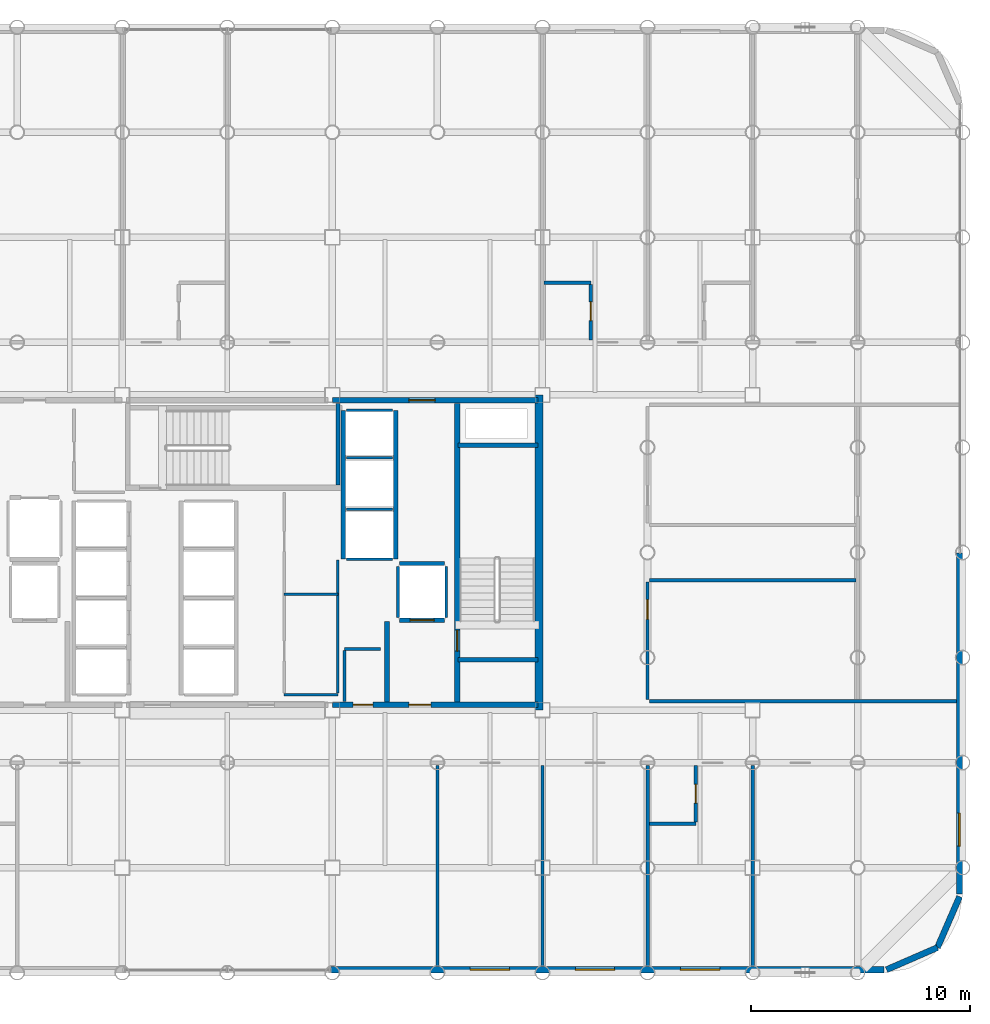
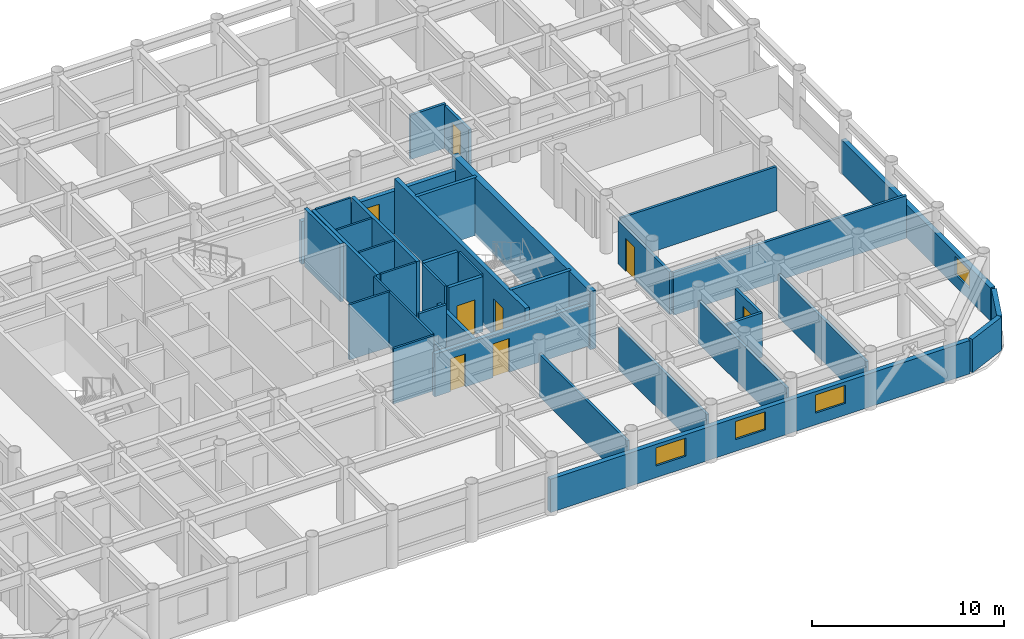
# One storey, part 18 of 20: 38 walls, 8 doors, 4 windows, 12 openings.
"""IFC4 building model written with IfcOpenShell, lengths in metres."""

import ifcopenshell
import ifcopenshell.guid

model = None  # the IFC model being written
_history = None  # IfcOwnerHistory: only IFC2X3 demands one
_inside = {}  # id of a spatial element -> (the spatial element, [elements in it])
_under = {}  # id of a project, library or spatial element -> (it, [spatial elements below it])
_declared = {}  # id of a project -> (the project, [libraries it declares])
_typed = {}  # id of a type object -> (the type object, [elements of that type])
_made_of = {}  # id of a material, layer set ... -> (it, [elements and type objects made of it])


def new_model(schema):
    """Start an empty IFC model of exactly this schema.

    Asked for "IFC4X3", IfcOpenShell would pick the latest addendum, in which some entities
    have other attributes; the version numbers below select the first issue.
    IFC2X3 requires an IfcOwnerHistory on every rooted entity: one is made here for all.
    """
    global model, _history
    if schema == "IFC4X3":
        model = ifcopenshell.file(schema_version=(4, 3, 0, 0))
    else:
        model = ifcopenshell.file(schema=schema)
    _inside.clear()
    _under.clear()
    _declared.clear()
    _typed.clear()
    _made_of.clear()
    _history = None
    if model.schema == "IFC2X3":
        org = make("IfcOrganization", Name="unknown")
        user = make(
            "IfcPersonAndOrganization",
            ThePerson=make("IfcPerson", FamilyName="unknown"),
            TheOrganization=org,
        )
        app = make(
            "IfcApplication",
            ApplicationDeveloper=org,
            Version="unknown",
            ApplicationFullName="unknown",
            ApplicationIdentifier="unknown",
        )
        _history = make(
            "IfcOwnerHistory",
            OwningUser=user,
            OwningApplication=app,
            ChangeAction="ADDED",
            CreationDate=0,
        )
    return model


def make(cls, **values):
    """One entity of the class cls with the attributes given. An attribute that is None is left unset."""
    return model.create_entity(
        cls, **{name: value for name, value in values.items() if value is not None}
    )


def rooted(cls, **values):
    """An entity with a GlobalId (a new one), such as an element, a storey or a relation."""
    return make(cls, GlobalId=ifcopenshell.guid.new(), OwnerHistory=_history, **values)


def si_unit(unit_type, name, prefix=None):
    """IfcSIUnit, for example si_unit("LENGTHUNIT", "METRE", prefix="MILLI")."""
    return make("IfcSIUnit", UnitType=unit_type, Prefix=prefix, Name=name)


def assignment(units):
    """IfcUnitAssignment: the units of a project."""
    return None if units is None else make("IfcUnitAssignment", Units=units)


def point(xyz):
    """IfcCartesianPoint."""
    return None if xyz is None else make("IfcCartesianPoint", Coordinates=xyz)


def direction(xyz):
    """IfcDirection."""
    return None if xyz is None else make("IfcDirection", DirectionRatios=xyz)


def frame(location, z_axis=None, x_axis=None):
    """IfcAxis2Placement3D, a coordinate frame: its origin and axes. An axis left out is left unset."""
    return make(
        "IfcAxis2Placement3D",
        Location=point(location),
        Axis=direction(z_axis),
        RefDirection=direction(x_axis),
    )


def frame_2d(location, x_axis=None):
    """IfcAxis2Placement2D, a coordinate frame in the plane: its origin and x axis."""
    return make(
        "IfcAxis2Placement2D", Location=point(location), RefDirection=direction(x_axis)
    )


def origin():
    """The frame at (0, 0, 0) with its axes left unset."""
    return frame((0.0, 0.0, 0.0))


def place(relative_to, where):
    """IfcLocalPlacement: puts the frame where relative to a parent placement (None: the world)."""
    return make(
        "IfcLocalPlacement", PlacementRelTo=relative_to, RelativePlacement=where
    )


def context(
    kind, dimensions, precision=None, world=None, true_north=None, identifier=None
):
    """IfcGeometricRepresentationContext, for example the 3D "Model" context."""
    return make(
        "IfcGeometricRepresentationContext",
        ContextIdentifier=identifier,
        ContextType=kind,
        CoordinateSpaceDimension=dimensions,
        Precision=precision,
        WorldCoordinateSystem=world,
        TrueNorth=true_north,
    )


def subcontext(parent, identifier, kind, view, scale=None):
    """IfcGeometricRepresentationSubContext, for example "Body" below "Model"."""
    return make(
        "IfcGeometricRepresentationSubContext",
        ContextIdentifier=identifier,
        ContextType=kind,
        ParentContext=parent,
        TargetScale=scale,
        TargetView=view,
    )


def project(units=None, contexts=None):
    """IfcProject with its units and contexts."""
    return rooted(
        "IfcProject",
        Name="project",
        RepresentationContexts=contexts,
        UnitsInContext=assignment(units),
    )


def spatial(cls, under=None, at=None, **own):
    """A site, building, storey or space (cls), placed at a placement, below another one or the project."""
    s = rooted(cls, ObjectPlacement=at, **own)
    if under is not None:
        _under.setdefault(under.id(), (under, []))[1].append(s)
    return s


def profile(cls, at=None, kind="AREA", **sizes):
    """A parametric profile (cls). Its sizes go by their IFC names, for example OverallWidth=200.0."""
    return make(cls, ProfileType=kind, Position=at, **sizes)


def rectangle(**sizes):
    """IfcRectangleProfileDef."""
    return profile("IfcRectangleProfileDef", **sizes)


def extrude(swept, where, along, depth):
    """IfcExtrudedAreaSolid: the profile swept, set in the frame where, extruded along a direction by depth."""
    return make(
        "IfcExtrudedAreaSolid",
        SweptArea=swept,
        Position=where,
        ExtrudedDirection=direction(along),
        Depth=depth,
    )


def shape(context_of_items, identifier, shape_type, items):
    """IfcShapeRepresentation: the items that make up one representation, for example the "Body"."""
    return make(
        "IfcShapeRepresentation",
        ContextOfItems=context_of_items,
        RepresentationIdentifier=identifier,
        RepresentationType=shape_type,
        Items=items,
    )


def material(Name=None, Category=None):
    """IfcMaterial."""
    return make("IfcMaterial", Name=Name, Category=Category)


def layer(
    of_material, thickness, ventilated=None, Name=None, Category=None, Priority=None
):
    """IfcMaterialLayer: one layer of a wall or slab, of a material (None: an air gap)."""
    return make(
        "IfcMaterialLayer",
        Material=of_material,
        LayerThickness=thickness,
        IsVentilated=ventilated,
        Name=Name,
        Category=Category,
        Priority=Priority,
    )


def layer_set(layers, Name=None):
    """IfcMaterialLayerSet."""
    return make("IfcMaterialLayerSet", MaterialLayers=layers, LayerSetName=Name)


def made_of(thing, what):
    """Note that an element or type object is made of a material, layer set ...; save() writes the relation."""
    if what is not None:
        _made_of.setdefault(what.id(), (what, []))[1].append(thing)
    return thing


def type_object(cls, material=None, **own):
    """A type object (cls), such as IfcWallType, which elements share."""
    return made_of(rooted(cls, **own), material)


def element(
    cls,
    number,
    at=None,
    inside=None,
    cuts=None,
    type_object=None,
    material=None,
    context=None,
    identifier="Body",
    shape_type=None,
    held_by="IfcProductDefinitionShape",
    body=None,
    shapes=None,
    **own,
):
    """One element of the class cls, such as IfcWall. Its Tag is "e" and its number.

    at: its placement. inside: the storey or other place that contains it. cuts: it is an
    opening in that element (IfcRelVoidsElement). A single representation is given by context,
    identifier, shape_type and body (its items); several are given by shapes. held_by: the class
    of the entity that holds the representations. save() writes the other relations.
    """
    e = rooted(cls, Tag="e%d" % number, ObjectPlacement=at, **own)
    if body is not None:
        shapes = [shape(context, identifier, shape_type, body)]
    if shapes is not None:
        e.Representation = make(held_by, Representations=shapes)
    if inside is not None:
        _inside.setdefault(inside.id(), (inside, []))[1].append(e)
    if cuts is not None:
        rooted(
            "IfcRelVoidsElement", RelatingBuildingElement=cuts, RelatedOpeningElement=e
        )
    if type_object is not None:
        _typed.setdefault(type_object.id(), (type_object, []))[1].append(e)
    return made_of(e, material)


def fill(opening, filler):
    """IfcRelFillsElement: the door or window that sits in an opening."""
    return rooted(
        "IfcRelFillsElement",
        RelatingOpeningElement=opening,
        RelatedBuildingElement=filler,
    )


def aggregate(whole, parts):
    """IfcRelAggregates: a whole, such as a stair, and the parts it consists of."""
    return rooted("IfcRelAggregates", RelatingObject=whole, RelatedObjects=parts)


def save(model, path):
    """Write the relations noted so far, then the file.

    IfcRelAggregates (storeys below a building ...), IfcRelContainedInSpatialStructure (elements
    in a storey), IfcRelDefinesByType, IfcRelAssociatesMaterial and IfcRelDeclares: one each for
    every whole, place, type object, material and project.
    """
    for whole, parts in _under.values():
        aggregate(whole, parts)
    for where, things in _inside.values():
        rooted(
            "IfcRelContainedInSpatialStructure",
            RelatedElements=things,
            RelatingStructure=where,
        )
    for kind, things in _typed.values():
        rooted("IfcRelDefinesByType", RelatedObjects=things, RelatingType=kind)
    for what, things in _made_of.values():
        rooted("IfcRelAssociatesMaterial", RelatedObjects=things, RelatingMaterial=what)
    for by, libraries in _declared.values():
        rooted("IfcRelDeclares", RelatingContext=by, RelatedDefinitions=libraries)
    model.write(path)


model = new_model("IFC4")

# Units and contexts
model_context = context("Model", 3, precision=1e-05, world=origin(), true_north=direction((0.0, 1.0)))
body_context = subcontext(model_context, "Body", "Model", "MODEL_VIEW")
ifc_project = project(units=[si_unit("LENGTHUNIT", "METRE"), si_unit("AREAUNIT", "SQUARE_METRE"), si_unit("VOLUMEUNIT", "CUBIC_METRE"), si_unit("PLANEANGLEUNIT", "RADIAN"), si_unit("MASSUNIT", "GRAM", prefix="KILO")], contexts=[model_context])

# Site, building, storey
site_placement = place(None, origin())
site = spatial("IfcSite", under=ifc_project, at=site_placement, CompositionType="ELEMENT")
building_placement = place(site_placement, origin())
building = spatial("IfcBuilding", under=site, at=building_placement, Name="Kallvorn Hotel Tower", CompositionType="ELEMENT")
storey_placement = place(building_placement, frame((0.0, 0.0, 98.89990234375)))
storey = spatial("IfcBuildingStorey", under=building, at=storey_placement, Name="L23", CompositionType="ELEMENT", Elevation=98.89990234375)

# Walls
ifc_material_1 = material(Name="Concrete C50/60", Category="concrete")
ifc_layer_1 = layer(ifc_material_1, 0.35009765625)
ifc_layer_set_1 = layer_set([ifc_layer_1], Name="WL_CORE_350")
wall_type_1 = type_object("IfcWallType", Name="WL_CORE_350", PredefinedType="SHEAR", material=ifc_layer_set_1)
wall_1_placement = place(storey_placement, frame((14.239990234375, -7.199951171875, -0.179931640625), z_axis=(0.0, 0.0, 1.0), x_axis=(0.0, 1.0, 0.0)))
element("IfcWall", 1, at=wall_1_placement, inside=storey, type_object=wall_type_1, Name="L23 Core East Shear Wall", PredefinedType="SHEAR", context=body_context, shape_type="SweptSolid", body=[
    extrude(rectangle(XDim=14.39990234375, YDim=0.35009765625, at=frame_2d((7.199951171875, 0.0))), origin(), (0.0, 0.0, 1.0), 3.699951171875),
])
ifc_material_2 = material(Name="Fire-rated double-layer acoustic gypsum drywall EI 60")
ifc_layer_2 = layer(ifc_material_2, 0.159912109375)
ifc_layer_set_2 = layer_set([ifc_layer_2], Name="WL_DEMISE_160")
wall_type_2 = type_object("IfcWallType", Name="WL_DEMISE_160", PredefinedType="PARTITIONING", material=ifc_layer_set_2)
wall_2_placement = place(storey_placement, frame((19.280029296875, -12.39501953125, 0.0), z_axis=(0.0, 0.0, 1.0), x_axis=(1.0, 0.0, 0.0)))
element("IfcWall", 2, at=wall_2_placement, inside=storey, type_object=wall_type_2, Name="L23 Suite 2304 Deluxe King Room Partition", PredefinedType="PARTITIONING", context=body_context, shape_type="SweptSolid", body=[
    extrude(rectangle(XDim=2.1298828125, YDim=0.159912109375, at=frame_2d((1.06494140625, 0.0))), origin(), (0.0, 0.0, 1.0), 2.820068359375),
])
wall_3_placement = place(storey_placement, frame((14.47998046875, 12.320068359375, 0.0), z_axis=(0.0, 0.0, 1.0), x_axis=(1.0, 0.0, 0.0)))
element("IfcWall", 3, at=wall_3_placement, inside=storey, type_object=wall_type_2, Name="L23 Suite 2306 Standard King Room Partition", PredefinedType="PARTITIONING", context=body_context, shape_type="SweptSolid", body=[
    extrude(rectangle(XDim=2.130126953125, YDim=0.159912109375, at=frame_2d((1.06494140625, 0.0))), origin(), (0.0, 0.0, 1.0), 2.820068359375),
])

# Wall, opening, door
wall_4_placement = place(storey_placement, frame((16.610107421875, 9.719970703125, 0.0), z_axis=(0.0, 0.0, 1.0), x_axis=(0.0, 1.0, 0.0)))
wall_4 = element("IfcWall", 4, at=wall_4_placement, inside=storey, type_object=wall_type_2, Name="L23 Suite 2306 Standard King Room Partition", PredefinedType="PARTITIONING", context=body_context, shape_type="SweptSolid", body=[
    extrude(rectangle(XDim=2.51513671875, YDim=0.159912109375, at=frame_2d((1.257568359375, 0.0))), origin(), (0.0, 0.0, 1.0), 2.72021484375),
])
opening_1_placement = place(wall_4_placement, frame((0.8701171875, 0.0, 0.0)))
opening_1 = element("IfcOpeningElement", 5, at=opening_1_placement, cuts=wall_4, Name="Opening BD-I", PredefinedType="OPENING", context=body_context, shape_type="SweptSolid", body=[
    extrude(rectangle(XDim=0.860107421875, YDim=2.10009765625, at=frame_2d((0.43017578125, 1.050048828125))), frame((0.0, 0.094970703125, 0.0), z_axis=(0.0, -1.0, 0.0), x_axis=(1.0, 0.0, 0.0)), (0.0, 0.0, 1.0), 0.18994140625),
])
ifc_material_3 = material(Name="Solid-core walnut veneer fire-rated timber door leaf", Category="wood")
door_type_1 = type_object("IfcDoorType", Name="DR_BATH_860x2100", OperationType="NOTDEFINED", PredefinedType="DOOR", material=ifc_material_3)
door_1_placement = place(opening_1_placement, origin())
door_1 = element("IfcDoor", 6, at=door_1_placement, inside=storey, type_object=door_type_1, Name="L23 Suite 2306 En-Suite Bathroom Door", OperationType="SINGLE_SWING_LEFT", OverallHeight=2.10009765625, OverallWidth=0.860107421875, PredefinedType="DOOR", context=body_context, shape_type="SweptSolid", body=[
    extrude(rectangle(XDim=0.860107421875, YDim=2.10009765625, at=frame_2d((0.43017578125, 1.050048828125))), frame((0.0, 0.02490234375, 0.0), z_axis=(0.0, -1.0, 0.0), x_axis=(1.0, 0.0, 0.0)), (0.0, 0.0, 1.0), 0.050048828125),
])
fill(opening_1, door_1)

# Wall
wall_5_placement = place(storey_placement, frame((19.199951171875, -18.909912109375, 0.0), z_axis=(0.0, 0.0, 1.0), x_axis=(0.0, 1.0, 0.0)))
element("IfcWall", 7, at=wall_5_placement, inside=storey, type_object=wall_type_2, Name="L23 Suite 2304 Deluxe King Room Partition", PredefinedType="PARTITIONING", context=body_context, shape_type="SweptSolid", body=[
    extrude(rectangle(XDim=9.18994140625, YDim=0.159912109375, at=frame_2d((4.594970703125, 0.0))), origin(), (0.0, 0.0, 1.0), 2.72021484375),
])

# Wall, opening, door
wall_6_placement = place(storey_placement, frame((21.409912109375, -12.31005859375, 0.0), z_axis=(0.0, 0.0, 1.0), x_axis=(0.0, 1.0, 0.0)))
wall_6 = element("IfcWall", 8, at=wall_6_placement, inside=storey, type_object=wall_type_2, Name="L23 Suite 2304 Deluxe King Room Partition", PredefinedType="PARTITIONING", context=body_context, shape_type="SweptSolid", body=[
    extrude(rectangle(XDim=2.590087890625, YDim=0.159912109375, at=frame_2d((1.294921875, 0.0))), origin(), (0.0, 0.0, 1.0), 2.72021484375),
])
opening_2_placement = place(wall_6_placement, frame((0.860107421875, 0.0, 0.0)))
opening_2 = element("IfcOpeningElement", 9, at=opening_2_placement, cuts=wall_6, Name="Opening BD-I", PredefinedType="OPENING", context=body_context, shape_type="SweptSolid", body=[
    extrude(rectangle(XDim=0.860107421875, YDim=2.10009765625, at=frame_2d((0.43017578125, 1.050048828125))), frame((0.0, 0.094970703125, 0.0), z_axis=(0.0, -1.0, 0.0), x_axis=(1.0, 0.0, 0.0)), (0.0, 0.0, 1.0), 0.18994140625),
])
door_2_placement = place(opening_2_placement, origin())
door_2 = element("IfcDoor", 10, at=door_2_placement, inside=storey, type_object=door_type_1, Name="L23 Suite 2304 En-Suite Bathroom Door", OperationType="SINGLE_SWING_RIGHT", OverallHeight=2.10009765625, OverallWidth=0.860107421875, PredefinedType="DOOR", context=body_context, shape_type="SweptSolid", body=[
    extrude(rectangle(XDim=0.860107421875, YDim=2.10009765625, at=frame_2d((0.43017578125, 1.050048828125))), frame((0.0, 0.02490234375, 0.0), z_axis=(0.0, -1.0, 0.0), x_axis=(1.0, 0.0, 0.0)), (0.0, 0.0, 1.0), 0.050048828125),
])
fill(opening_2, door_2)

# Walls
wall_7_placement = place(storey_placement, frame((24.0, -18.909912109375, 0.0), z_axis=(0.0, 0.0, 1.0), x_axis=(0.0, 1.0, 0.0)))
element("IfcWall", 11, at=wall_7_placement, inside=storey, type_object=wall_type_2, Name="L23 Suite 2304 Deluxe King Room Partition", PredefinedType="PARTITIONING", context=body_context, shape_type="SweptSolid", body=[
    extrude(rectangle(XDim=9.18994140625, YDim=0.159912109375, at=frame_2d((4.594970703125, 0.0))), origin(), (0.0, 0.0, 1.0), 2.72021484375),
])
ifc_material_4 = material(Name="Precast basalt-clad insulated concrete wall C40/50", Category="masonry")
ifc_layer_3 = layer(ifc_material_4, 0.280029296875)
ifc_layer_set_3 = layer_set([ifc_layer_3], Name="WL_EXT_LOGGIA_280")
wall_type_3 = type_object("IfcWallType", Name="WL_EXT_LOGGIA_280", PredefinedType="SOLIDWALL", material=ifc_layer_set_3)
wall_8_placement = place(storey_placement, frame((30.120849609375, -19.057861328125, 0.0), z_axis=(0.0, 0.0, 1.0), x_axis=(0.917060872934, 0.398747232384, 0.0)))
element("IfcWall", 12, at=wall_8_placement, inside=storey, type_object=wall_type_3, Name="L23 Rounded Corner Exterior Wall SE1", PredefinedType="SOLIDWALL", context=body_context, shape_type="SweptSolid", body=[
    extrude(rectangle(XDim=2.5361328125, YDim=0.280029296875, at=frame_2d((1.26806640625, 0.0))), origin(), (0.0, 0.0, 1.0), 2.1201171875),
])
wall_9_placement = place(storey_placement, frame((32.446533203125, -18.046630859375, 0.0), z_axis=(0.0, 0.0, 1.0), x_axis=(0.398792985289, 0.917040977756, 0.0)))
element("IfcWall", 13, at=wall_9_placement, inside=storey, type_object=wall_type_3, Name="L23 Rounded Corner Exterior Wall SE2", PredefinedType="SOLIDWALL", context=body_context, shape_type="SweptSolid", body=[
    extrude(rectangle(XDim=2.536376953125, YDim=0.280029296875, at=frame_2d((1.26806640625, 0.0))), origin(), (0.0, 0.0, 1.0), 2.1201171875),
])

# Wall, openings, windows
wall_10_placement = place(storey_placement, frame((4.75, -19.06005859375, 0.0), z_axis=(0.0, 0.0, 1.0), x_axis=(1.0, 0.0, 0.0)))
wall_10 = element("IfcWall", 14, at=wall_10_placement, inside=storey, type_object=wall_type_3, Name="L23 Exterior Envelope Wall EW-L23-SE", PredefinedType="SOLIDWALL", context=body_context, shape_type="SweptSolid", body=[
    extrude(rectangle(XDim=25.25, YDim=0.280029296875, at=frame_2d((12.625, 0.0))), origin(), (0.0, 0.0, 1.0), 2.1201171875),
])
opening_3_placement = place(wall_10_placement, frame((6.35009765625, 0.0, 0.75)))
opening_3 = element("IfcOpeningElement", 15, at=opening_3_placement, cuts=wall_10, Name="Opening W04A", PredefinedType="OPENING", context=body_context, shape_type="SweptSolid", body=[
    extrude(rectangle(XDim=1.800048828125, YDim=1.14990234375, at=frame_2d((0.89990234375, 0.574951171875))), frame((0.0, 0.155029296875, 0.0), z_axis=(0.0, -1.0, 0.0), x_axis=(1.0, 0.0, 0.0)), (0.0, 0.0, 1.0), 0.31005859375),
])
opening_4_placement = place(wall_10_placement, frame((11.14990234375, 0.0, 0.75)))
opening_4 = element("IfcOpeningElement", 16, at=opening_4_placement, cuts=wall_10, Name="Opening W04A", PredefinedType="OPENING", context=body_context, shape_type="SweptSolid", body=[
    extrude(rectangle(XDim=1.800048828125, YDim=1.14990234375, at=frame_2d((0.89990234375, 0.574951171875))), frame((0.0, 0.155029296875, 0.0), z_axis=(0.0, -1.0, 0.0), x_axis=(1.0, 0.0, 0.0)), (0.0, 0.0, 1.0), 0.31005859375),
])
opening_5_placement = place(wall_10_placement, frame((15.949951171875, 0.0, 0.75)))
opening_5 = element("IfcOpeningElement", 17, at=opening_5_placement, cuts=wall_10, Name="Opening W04A", PredefinedType="OPENING", context=body_context, shape_type="SweptSolid", body=[
    extrude(rectangle(XDim=1.800048828125, YDim=1.14990234375, at=frame_2d((0.89990234375, 0.574951171875))), frame((0.0, 0.155029296875, 0.0), z_axis=(0.0, -1.0, 0.0), x_axis=(1.0, 0.0, 0.0)), (0.0, 0.0, 1.0), 0.31005859375),
])
ifc_material_5 = material(Name="Double-glazed low-e solar-control dark glass", Category="glass")
window_type_1 = type_object("IfcWindowType", Name="WN_HTL_1800x1150", PartitioningType="SINGLE_PANEL", PredefinedType="WINDOW", material=ifc_material_5)
window_1_placement = place(opening_3_placement, origin())
window_1 = element("IfcWindow", 18, at=window_1_placement, inside=storey, type_object=window_type_1, Name="L23 Guestroom Exterior Window 06", OverallHeight=1.14990234375, OverallWidth=1.800048828125, PartitioningType="SINGLE_PANEL", PredefinedType="WINDOW", context=body_context, shape_type="SweptSolid", body=[
    extrude(rectangle(XDim=1.800048828125, YDim=1.14990234375, at=frame_2d((0.89990234375, 0.574951171875))), frame((0.0, 0.030029296875, 0.0), z_axis=(0.0, -1.0, 0.0), x_axis=(1.0, 0.0, 0.0)), (0.0, 0.0, 1.0), 0.06005859375),
])
fill(opening_3, window_1)
window_2_placement = place(opening_4_placement, origin())
window_2 = element("IfcWindow", 19, at=window_2_placement, inside=storey, type_object=window_type_1, Name="L23 Guestroom Exterior Window 07", OverallHeight=1.14990234375, OverallWidth=1.800048828125, PartitioningType="SINGLE_PANEL", PredefinedType="WINDOW", context=body_context, shape_type="SweptSolid", body=[
    extrude(rectangle(XDim=1.800048828125, YDim=1.14990234375, at=frame_2d((0.89990234375, 0.574951171875))), frame((0.0, 0.030029296875, 0.0), z_axis=(0.0, -1.0, 0.0), x_axis=(1.0, 0.0, 0.0)), (0.0, 0.0, 1.0), 0.06005859375),
])
fill(opening_4, window_2)
window_3_placement = place(opening_5_placement, origin())
window_3 = element("IfcWindow", 20, at=window_3_placement, inside=storey, type_object=window_type_1, Name="L23 Guestroom Exterior Window 08", OverallHeight=1.14990234375, OverallWidth=1.800048828125, PartitioningType="SINGLE_PANEL", PredefinedType="WINDOW", context=body_context, shape_type="SweptSolid", body=[
    extrude(rectangle(XDim=1.800048828125, YDim=1.14990234375, at=frame_2d((0.89990234375, 0.574951171875))), frame((0.0, 0.030029296875, 0.0), z_axis=(0.0, -1.0, 0.0), x_axis=(1.0, 0.0, 0.0)), (0.0, 0.0, 1.0), 0.06005859375),
])
fill(opening_5, window_3)

# Wall, opening, window
wall_11_placement = place(storey_placement, frame((33.4599609375, -15.60009765625, 0.0), z_axis=(0.0, 0.0, 1.0), x_axis=(0.0, 1.0, 0.0)))
wall_11 = element("IfcWall", 21, at=wall_11_placement, inside=storey, type_object=wall_type_3, Name="L23 Exterior Envelope Wall EW-L23-ES", PredefinedType="SOLIDWALL", context=body_context, shape_type="SweptSolid", body=[
    extrude(rectangle(XDim=15.580078125, YDim=0.280029296875, at=frame_2d((7.7900390625, 0.0))), origin(), (0.0, 0.0, 1.0), 2.1201171875),
])
opening_6_placement = place(wall_11_placement, frame((2.18994140625, 0.0, 0.75)))
opening_6 = element("IfcOpeningElement", 22, at=opening_6_placement, cuts=wall_11, Name="Opening W05A", PredefinedType="OPENING", context=body_context, shape_type="SweptSolid", body=[
    extrude(rectangle(XDim=1.5, YDim=1.14990234375, at=frame_2d((0.75, 0.574951171875))), frame((0.0, 0.155029296875, 0.0), z_axis=(0.0, -1.0, 0.0), x_axis=(1.0, 0.0, 0.0)), (0.0, 0.0, 1.0), 0.31005859375),
])
ifc_material_6 = material(Name="Double-glazed low-e solar-control dark glass", Category="glass")
window_type_2 = type_object("IfcWindowType", Name="WN_HTL_1500x1150", PartitioningType="SINGLE_PANEL", PredefinedType="WINDOW", material=ifc_material_6)
window_4_placement = place(opening_6_placement, origin())
window_4 = element("IfcWindow", 23, at=window_4_placement, inside=storey, type_object=window_type_2, Name="L23 Flank Wing Window 02", OverallHeight=1.14990234375, OverallWidth=1.5, PartitioningType="SINGLE_PANEL", PredefinedType="WINDOW", context=body_context, shape_type="SweptSolid", body=[
    extrude(rectangle(XDim=1.5, YDim=1.14990234375, at=frame_2d((0.75, 0.574951171875))), frame((0.0, 0.030029296875, 0.0), z_axis=(0.0, -1.0, 0.0), x_axis=(1.0, 0.0, 0.0)), (0.0, 0.0, 1.0), 0.06005859375),
])
fill(opening_6, window_4)

# Walls
ifc_material_7 = material(Name="Concrete C40/50", Category="concrete")
ifc_layer_4 = layer(ifc_material_7, 0.219970703125)
ifc_layer_set_4 = layer_set([ifc_layer_4], Name="WL_FFL_220")
wall_type_4 = type_object("IfcWallType", Name="WL_FFL_220", PredefinedType="SOLIDWALL", material=ifc_layer_set_4)
wall_12_placement = place(storey_placement, frame((7.300048828125, -6.820068359375, 0.0), z_axis=(0.0, 0.0, 1.0), x_axis=(0.0, 1.0, 0.0)))
element("IfcWall", 24, at=wall_12_placement, inside=storey, type_object=wall_type_4, Name="L23 Firefighting Lobby East Divider Wall", PredefinedType="SOLIDWALL", context=body_context, shape_type="SweptSolid", body=[
    extrude(rectangle(XDim=3.670166015625, YDim=0.219970703125, at=frame_2d((1.8349609375, 0.0))), origin(), (0.0, 0.0, 1.0), 2.72021484375),
])
ifc_material_8 = material(Name="Concrete C40/50", Category="concrete")
ifc_layer_5 = layer(ifc_material_8, 0.199951171875)
ifc_layer_set_5 = layer_set([ifc_layer_5], Name="WL_HOIST_200")
wall_type_5 = type_object("IfcWallType", Name="WL_HOIST_200", PredefinedType="SOLIDWALL", material=ifc_layer_set_5)
for number, where, z_axis, x_axis, name in (
    (25, (10.550048828125, -4.89990234375, -0.179931640625), (0.0, 0.0, 1.0), (1.0, 0.0, 0.0), "L23 Stair ST2 South Wall"),
    (26, (10.550048828125, 4.89990234375, -0.179931640625), (0.0, 0.0, 1.0), (1.0, 0.0, 0.0), "L23 Stair ST2 North Wall"),
):
    element("IfcWall", number, at=place(storey_placement, frame(where, z_axis=z_axis, x_axis=x_axis)), inside=storey, type_object=wall_type_5, Name=name, PredefinedType="SOLIDWALL", context=body_context, shape_type="SweptSolid", body=[
        extrude(rectangle(XDim=3.64990234375, YDim=0.199951171875, at=frame_2d((1.824951171875, 0.0))), origin(), (0.0, 0.0, 1.0), 3.699951171875),
    ])
wall_13_placement = place(storey_placement, frame((5.06005859375, 3.080078125, -0.179931640625), z_axis=(0.0, 0.0, 1.0), x_axis=(0.0, 1.0, 0.0)))
element("IfcWall", 27, at=wall_13_placement, inside=storey, type_object=wall_type_5, Name="L23 Stair ST3 East Wall", PredefinedType="SOLIDWALL", context=body_context, shape_type="SweptSolid", body=[
    extrude(rectangle(XDim=3.739990234375, YDim=0.199951171875, at=frame_2d((1.8701171875, 0.0))), origin(), (0.0, 0.0, 1.0), 3.699951171875),
])
for number, where, z_axis, x_axis, name in (
    (28, (7.699951171875, -0.300048828125, 0.0), (0.0, 0.0, 1.0), (0.0, 1.0, 0.0), "L23 Lift Bank OBS Landing Wall"),
    (29, (5.300048828125, -0.300048828125, 0.0), (0.0, 0.0, 1.0), (0.0, 1.0, 0.0), "L23 Lift Bank OBS Rear Shaft Wall"),
):
    element("IfcWall", number, at=place(storey_placement, frame(where, z_axis=z_axis, x_axis=x_axis)), inside=storey, type_object=wall_type_5, Name=name, PredefinedType="SOLIDWALL", context=body_context, shape_type="SweptSolid", body=[
        extrude(rectangle(XDim=6.800048828125, YDim=0.199951171875, at=frame_2d((3.39990234375, 0.0))), origin(), (0.0, 0.0, 1.0), 3.52001953125),
    ])

# Wall, opening, door
wall_14_placement = place(storey_placement, frame((7.8798828125, -3.10009765625, 0.0), z_axis=(0.0, 0.0, 1.0), x_axis=(1.0, 0.0, 0.0)))
wall_14 = element("IfcWall", 30, at=wall_14_placement, inside=storey, type_object=wall_type_5, Name="L23 FL-2 Landing Wall", PredefinedType="SOLIDWALL", context=body_context, shape_type="SweptSolid", body=[
    extrude(rectangle(XDim=2.0400390625, YDim=0.199951171875, at=frame_2d((1.02001953125, 0.0))), origin(), (0.0, 0.0, 1.0), 3.52001953125),
])
opening_7_placement = place(wall_14_placement, frame((0.469970703125, 0.0, 0.0)))
opening_7 = element("IfcOpeningElement", 31, at=opening_7_placement, cuts=wall_14, Name="Opening LD-FL-2", PredefinedType="OPENING", context=body_context, shape_type="SweptSolid", body=[
    extrude(rectangle(XDim=1.10009765625, YDim=2.199951171875, at=frame_2d((0.550048828125, 1.10009765625))), frame((0.0, 0.114990234375, 0.0), z_axis=(0.0, -1.0, 0.0), x_axis=(1.0, 0.0, 0.0)), (0.0, 0.0, 1.0), 0.22998046875),
])
ifc_material_9 = material(Name="Brushed stainless-steel automatic sliding lift landing door", Category="steel")
door_type_2 = type_object("IfcDoorType", Name="LD_PASS_1100x2200", OperationType="SLIDING_TO_LEFT", PredefinedType="DOOR", material=ifc_material_9)
door_3_placement = place(opening_7_placement, origin())
door_3 = element("IfcDoor", 32, at=door_3_placement, inside=storey, type_object=door_type_2, Name="L23 Lift Landing Sliding Door LD-FL-2", OperationType="SLIDING_TO_LEFT", OverallHeight=2.199951171875, OverallWidth=1.10009765625, PredefinedType="DOOR", context=body_context, shape_type="SweptSolid", body=[
    extrude(rectangle(XDim=1.10009765625, YDim=2.199951171875, at=frame_2d((0.550048828125, 1.10009765625))), frame((0.0, 0.02490234375, 0.0), z_axis=(0.0, -1.0, 0.0), x_axis=(1.0, 0.0, 0.0)), (0.0, 0.0, 1.0), 0.050048828125),
])
fill(opening_7, door_3)

# Walls
wall_15_placement = place(storey_placement, frame((7.8798828125, -0.5, 0.0), z_axis=(0.0, 0.0, 1.0), x_axis=(1.0, 0.0, 0.0)))
element("IfcWall", 33, at=wall_15_placement, inside=storey, type_object=wall_type_5, Name="L23 FL-2 Rear Shaft Wall", PredefinedType="SOLIDWALL", context=body_context, shape_type="SweptSolid", body=[
    extrude(rectangle(XDim=2.0400390625, YDim=0.199951171875, at=frame_2d((1.02001953125, 0.0))), origin(), (0.0, 0.0, 1.0), 3.52001953125),
])
ifc_material_10 = material(Name="Fire-rated double-layer acoustic gypsum drywall EI 60")
ifc_layer_6 = layer(ifc_material_10, 0.1201171875)
ifc_layer_set_6 = layer_set([ifc_layer_6], Name="WL_INT_120")
wall_type_6 = type_object("IfcWallType", Name="WL_INT_120", PredefinedType="PARTITIONING", material=ifc_layer_set_6)
for number, where, z_axis, x_axis, name in (
    (34, (5.43994140625, -0.300048828125, 0.0), (0.0, 0.0, 1.0), (1.0, 0.0, 0.0), "L23 Lift Bank OBS South Closure Wall"),
    (35, (5.43994140625, 1.97509765625, 0.0), (0.0, 0.0, 1.0), (1.0, 0.0, 0.0), "L23 OB-01 Hoistway Divider"),
    (36, (5.43994140625, 4.324951171875, 0.0), (0.0, 0.0, 1.0), (1.0, 0.0, 0.0), "L23 OB-02 Hoistway Divider"),
    (37, (5.43994140625, 6.5, 0.0), (0.0, 0.0, 1.0), (1.0, 0.0, 0.0), "L23 OB-03 Hoistway Divider"),
):
    element("IfcWall", number, at=place(storey_placement, frame(where, z_axis=z_axis, x_axis=x_axis)), inside=storey, type_object=wall_type_6, Name=name, PredefinedType="PARTITIONING", context=body_context, shape_type="SweptSolid", body=[
        extrude(rectangle(XDim=2.1201171875, YDim=0.1201171875, at=frame_2d((1.06005859375, 0.0))), origin(), (0.0, 0.0, 1.0), 3.52001953125),
    ])
for number, where, z_axis, x_axis, name in (
    (38, (7.800048828125, -2.9599609375, 0.0), (0.0, 0.0, 1.0), (0.0, 1.0, 0.0), "L23 FL-2 West Shaft Wall"),
    (39, (10.0, -2.9599609375, 0.0), (0.0, 0.0, 1.0), (0.0, 1.0, 0.0), "L23 FL-2 East Shaft Wall"),
):
    element("IfcWall", number, at=place(storey_placement, frame(where, z_axis=z_axis, x_axis=x_axis)), inside=storey, type_object=wall_type_6, Name=name, PredefinedType="PARTITIONING", context=body_context, shape_type="SweptSolid", body=[
        extrude(rectangle(XDim=2.320068359375, YDim=0.1201171875, at=frame_2d((1.16015625, 0.0))), origin(), (0.0, 0.0, 1.0), 3.52001953125),
    ])
for number, where, z_axis, x_axis, name in (
    (40, (2.60009765625, -6.5, 0.0), (0.0, 0.0, 1.0), (1.0, 0.0, 0.0), "L23 East Core Amenities and Minibar Store Partition"),
    (41, (2.60009765625, -1.89990234375, 0.0), (0.0, 0.0, 1.0), (1.0, 0.0, 0.0), "L23 East Core Amenities and Minibar Store Partition"),
):
    element("IfcWall", number, at=place(storey_placement, frame(where, z_axis=z_axis, x_axis=x_axis)), inside=storey, type_object=wall_type_6, Name=name, PredefinedType="PARTITIONING", context=body_context, shape_type="SweptSolid", body=[
        extrude(rectangle(XDim=2.449951171875, YDim=0.1201171875, at=frame_2d((1.22509765625, 0.0))), origin(), (0.0, 0.0, 1.0), 3.52001953125),
    ])
wall_16_placement = place(storey_placement, frame((5.050048828125, -6.4150390625, 0.0), z_axis=(0.0, 0.0, 1.0), x_axis=(0.0, 1.0, 0.0)))
element("IfcWall", 42, at=wall_16_placement, inside=storey, type_object=wall_type_6, Name="L23 East Core Amenities and Minibar Store Partition", PredefinedType="PARTITIONING", context=body_context, shape_type="SweptSolid", body=[
    extrude(rectangle(XDim=6.074951171875, YDim=0.1201171875, at=frame_2d((3.03759765625, 0.0))), origin(), (0.0, 0.0, 1.0), 3.52001953125),
])
ifc_material_11 = material(Name="Fire-rated double-layer acoustic gypsum drywall EI 60")
ifc_layer_7 = layer(ifc_material_11, 0.14990234375)
ifc_layer_set_7 = layer_set([ifc_layer_7], Name="WL_PART_150")
wall_type_7 = type_object("IfcWallType", Name="WL_PART_150", PredefinedType="PARTITIONING", material=ifc_layer_set_7)
wall_17_placement = place(storey_placement, frame((19.280029296875, -6.800048828125, 0.0), z_axis=(0.0, 0.0, 1.0), x_axis=(1.0, 0.0, 0.0)))
element("IfcWall", 43, at=wall_17_placement, inside=storey, type_object=wall_type_7, Name="L23 L23 East Inner Club Bar Partition", PredefinedType="PARTITIONING", context=body_context, shape_type="SweptSolid", body=[
    extrude(rectangle(XDim=14.030029296875, YDim=0.14990234375, at=frame_2d((7.01513671875, 0.0))), origin(), (0.0, 0.0, 1.0), 2.72021484375),
])
wall_18_placement = place(storey_placement, frame((19.280029296875, -1.260009765625, 0.0), z_axis=(0.0, 0.0, 1.0), x_axis=(1.0, 0.0, 0.0)))
element("IfcWall", 44, at=wall_18_placement, inside=storey, type_object=wall_type_7, Name="L23 L23 East Inner Club Bar Partition", PredefinedType="PARTITIONING", context=body_context, shape_type="SweptSolid", body=[
    extrude(rectangle(XDim=9.43994140625, YDim=0.14990234375, at=frame_2d((4.719970703125, 0.0))), origin(), (0.0, 0.0, 1.0), 2.820068359375),
])
for number, where, z_axis, x_axis, name in (
    (45, (9.60009765625, -18.909912109375, 0.0), (0.0, 0.0, 1.0), (0.0, 1.0, 0.0), "L23 L23 Panorama Banquet Event Hall 2 Partition"),
    (46, (14.39990234375, -18.909912109375, 0.0), (0.0, 0.0, 1.0), (0.0, 1.0, 0.0), "L23 L23 Restaurant Culinary Catering Kitchen 3-1 Partition"),
):
    element("IfcWall", number, at=place(storey_placement, frame(where, z_axis=z_axis, x_axis=x_axis)), inside=storey, type_object=wall_type_7, Name=name, PredefinedType="PARTITIONING", context=body_context, shape_type="SweptSolid", body=[
        extrude(rectangle(XDim=9.18994140625, YDim=0.14990234375, at=frame_2d((4.594970703125, 0.0))), origin(), (0.0, 0.0, 1.0), 2.72021484375),
    ])

# Wall, opening, door
wall_19_placement = place(storey_placement, frame((19.199951171875, -6.715087890625, 0.0), z_axis=(0.0, 0.0, 1.0), x_axis=(0.0, 1.0, 0.0)))
wall_19 = element("IfcWall", 47, at=wall_19_placement, inside=storey, type_object=wall_type_7, Name="L23 L23 East Inner Club Bar Partition", PredefinedType="PARTITIONING", context=body_context, shape_type="SweptSolid", body=[
    extrude(rectangle(XDim=5.3701171875, YDim=0.14990234375, at=frame_2d((2.68505859375, 0.0))), origin(), (0.0, 0.0, 1.0), 2.72021484375),
])
opening_8_placement = place(wall_19_placement, frame((3.66015625, 0.0, 0.0)))
opening_8 = element("IfcOpeningElement", 48, at=opening_8_placement, cuts=wall_19, Name="Opening SVD1", PredefinedType="OPENING", context=body_context, shape_type="SweptSolid", body=[
    extrude(rectangle(XDim=0.89990234375, YDim=2.10009765625, at=frame_2d((0.449951171875, 1.050048828125))), frame((0.0, 0.08984375, 0.0), z_axis=(0.0, -1.0, 0.0), x_axis=(1.0, 0.0, 0.0)), (0.0, 0.0, 1.0), 0.179931640625),
])
ifc_material_12 = material(Name="Galvanised painted steel fire-rated door assembly", Category="steel")
door_type_3 = type_object("IfcDoorType", Name="DR_SERV_900x2100", OperationType="NOTDEFINED", PredefinedType="DOOR", material=ifc_material_12)
door_4_placement = place(opening_8_placement, origin())
door_4 = element("IfcDoor", 49, at=door_4_placement, inside=storey, type_object=door_type_3, Name="L23 L23 East Inner Club Bar Door", OperationType="SINGLE_SWING_RIGHT", OverallHeight=2.10009765625, OverallWidth=0.89990234375, PredefinedType="DOOR", context=body_context, shape_type="SweptSolid", body=[
    extrude(rectangle(XDim=0.89990234375, YDim=2.10009765625, at=frame_2d((0.449951171875, 1.050048828125))), frame((0.0, 0.02490234375, 0.0), z_axis=(0.0, -1.0, 0.0), x_axis=(1.0, 0.0, 0.0)), (0.0, 0.0, 1.0), 0.050048828125),
])
fill(opening_8, door_4)

# Walls
ifc_material_13 = material(Name="Moisture-resistant acoustic plumbing chase wall EI 60")
ifc_layer_8 = layer(ifc_material_13, 0.139892578125)
ifc_layer_set_8 = layer_set([ifc_layer_8], Name="WL_PLUMB_140")
wall_type_8 = type_object("IfcWallType", Name="WL_PLUMB_140", PredefinedType="PLUMBINGWALL", material=ifc_layer_set_8)
wall_20_placement = place(storey_placement, frame((5.35009765625, -4.39990234375, 0.0), z_axis=(0.0, 0.0, 1.0), x_axis=(1.0, 0.0, 0.0)))
element("IfcWall", 50, at=wall_20_placement, inside=storey, type_object=wall_type_8, Name="L23 Core Staff Restroom WC Partition", PredefinedType="PLUMBINGWALL", context=body_context, shape_type="SweptSolid", body=[
    extrude(rectangle(XDim=1.64990234375, YDim=0.139892578125, at=frame_2d((0.824951171875, 0.0))), origin(), (0.0, 0.0, 1.0), 3.52001953125),
])
wall_21_placement = place(storey_placement, frame((5.35009765625, -6.800048828125, 0.0), z_axis=(0.0, 0.0, 1.0), x_axis=(0.0, 1.0, 0.0)))
element("IfcWall", 51, at=wall_21_placement, inside=storey, type_object=wall_type_8, Name="L23 Core Staff Restroom WC Partition", PredefinedType="PLUMBINGWALL", context=body_context, shape_type="SweptSolid", body=[
    extrude(rectangle(XDim=2.31494140625, YDim=0.139892578125, at=frame_2d((1.157470703125, 0.0))), origin(), (0.0, 0.0, 1.0), 2.72021484375),
])

# Wall, openings, doors
ifc_material_14 = material(Name="Concrete C40/50", Category="concrete")
ifc_layer_9 = layer(ifc_material_14, 0.25)
ifc_layer_set_9 = layer_set([ifc_layer_9], Name="WL_SHAFT_250")
wall_type_9 = type_object("IfcWallType", Name="WL_SHAFT_250", PredefinedType="SOLIDWALL", material=ifc_layer_set_9)
wall_22_placement = place(storey_placement, frame((4.800048828125, -6.949951171875, 0.0), z_axis=(0.0, 0.0, 1.0), x_axis=(1.0, 0.0, 0.0)))
wall_22 = element("IfcWall", 52, at=wall_22_placement, inside=storey, type_object=wall_type_9, Name="L23 Core South-East Wall", PredefinedType="SOLIDWALL", context=body_context, shape_type="SweptSolid", body=[
    extrude(rectangle(XDim=9.39990234375, YDim=0.25, at=frame_2d((4.699951171875, 0.0))), origin(), (0.0, 0.0, 1.0), 2.72021484375),
])
opening_9_placement = place(wall_22_placement, frame((3.5, 0.0, 0.0)))
opening_9 = element("IfcOpeningElement", 53, at=opening_9_placement, cuts=wall_22, Name="Opening FD1", PredefinedType="OPENING", context=body_context, shape_type="SweptSolid", body=[
    extrude(rectangle(XDim=1.0, YDim=2.14990234375, at=frame_2d((0.5, 1.074951171875))), frame((0.0, 0.139892578125, 0.0), z_axis=(0.0, -1.0, 0.0), x_axis=(1.0, 0.0, 0.0)), (0.0, 0.0, 1.0), 0.280029296875),
])
opening_10_placement = place(wall_22_placement, frame((0.949951171875, 0.0, 0.0)))
opening_10 = element("IfcOpeningElement", 54, at=opening_10_placement, cuts=wall_22, Name="Opening SVD1", PredefinedType="OPENING", context=body_context, shape_type="SweptSolid", body=[
    extrude(rectangle(XDim=0.89990234375, YDim=2.10009765625, at=frame_2d((0.449951171875, 1.050048828125))), frame((0.0, 0.139892578125, 0.0), z_axis=(0.0, -1.0, 0.0), x_axis=(1.0, 0.0, 0.0)), (0.0, 0.0, 1.0), 0.280029296875),
])
ifc_material_15 = material(Name="Galvanised painted steel fire-rated door assembly", Category="steel")
door_type_4 = type_object("IfcDoorType", Name="DR_FFL_1000x2150", OperationType="NOTDEFINED", PredefinedType="DOOR", material=ifc_material_15)
door_5_placement = place(opening_9_placement, origin())
door_5 = element("IfcDoor", 55, at=door_5_placement, inside=storey, type_object=door_type_4, Name="L23 Firefighting Lobby East Door", OperationType="SINGLE_SWING_LEFT", OverallHeight=2.14990234375, OverallWidth=1.0, PredefinedType="DOOR", context=body_context, shape_type="SweptSolid", body=[
    extrude(rectangle(XDim=1.0, YDim=2.14990234375, at=frame_2d((0.5, 1.074951171875))), frame((0.0, 0.02490234375, 0.0), z_axis=(0.0, -1.0, 0.0), x_axis=(1.0, 0.0, 0.0)), (0.0, 0.0, 1.0), 0.050048828125),
])
fill(opening_9, door_5)
door_6_placement = place(opening_10_placement, origin())
door_6 = element("IfcDoor", 56, at=door_6_placement, inside=storey, type_object=door_type_3, Name="L23 Core Staff Restroom WC Door", OperationType="SINGLE_SWING_RIGHT", OverallHeight=2.10009765625, OverallWidth=0.89990234375, PredefinedType="DOOR", context=body_context, shape_type="SweptSolid", body=[
    extrude(rectangle(XDim=0.89990234375, YDim=2.10009765625, at=frame_2d((0.449951171875, 1.050048828125))), frame((0.0, 0.02490234375, 0.0), z_axis=(0.0, -1.0, 0.0), x_axis=(1.0, 0.0, 0.0)), (0.0, 0.0, 1.0), 0.050048828125),
])
fill(opening_10, door_6)

# Wall, opening, door
wall_23_placement = place(storey_placement, frame((4.800048828125, 6.949951171875, 0.0), z_axis=(0.0, 0.0, 1.0), x_axis=(1.0, 0.0, 0.0)))
wall_23 = element("IfcWall", 57, at=wall_23_placement, inside=storey, type_object=wall_type_9, Name="L23 Core North-East Wall", PredefinedType="SOLIDWALL", context=body_context, shape_type="SweptSolid", body=[
    extrude(rectangle(XDim=9.39990234375, YDim=0.25, at=frame_2d((4.699951171875, 0.0))), origin(), (0.0, 0.0, 1.0), 2.72021484375),
])
opening_11_placement = place(wall_23_placement, frame((3.5, 0.0, 0.0)))
opening_11 = element("IfcOpeningElement", 58, at=opening_11_placement, cuts=wall_23, Name="Opening FD2", PredefinedType="OPENING", context=body_context, shape_type="SweptSolid", body=[
    extrude(rectangle(XDim=1.199951171875, YDim=2.199951171875, at=frame_2d((0.60009765625, 1.10009765625))), frame((0.0, 0.139892578125, 0.0), z_axis=(0.0, -1.0, 0.0), x_axis=(1.0, 0.0, 0.0)), (0.0, 0.0, 1.0), 0.280029296875),
])
ifc_material_16 = material(Name="Galvanised painted steel fire-rated door assembly", Category="steel")
door_type_5 = type_object("IfcDoorType", Name="DR_LOBBY_1200x2200", OperationType="DOUBLE_DOOR_SINGLE_SWING", PredefinedType="DOOR", material=ifc_material_16)
door_7_placement = place(opening_11_placement, origin())
door_7 = element("IfcDoor", 59, at=door_7_placement, inside=storey, type_object=door_type_5, Name="L23 Observatory Shuttle Lobby Door", OperationType="DOUBLE_DOOR_SINGLE_SWING", OverallHeight=2.199951171875, OverallWidth=1.199951171875, PredefinedType="DOOR", context=body_context, shape_type="SweptSolid", body=[
    extrude(rectangle(XDim=1.199951171875, YDim=2.199951171875, at=frame_2d((0.60009765625, 1.10009765625))), frame((0.0, 0.02490234375, 0.0), z_axis=(0.0, -1.0, 0.0), x_axis=(1.0, 0.0, 0.0)), (0.0, 0.0, 1.0), 0.050048828125),
])
fill(opening_11, door_7)

wall_24_placement = place(storey_placement, frame((10.5, -6.820068359375, -0.179931640625), z_axis=(0.0, 0.0, 1.0), x_axis=(0.0, 1.0, 0.0)))
wall_24 = element("IfcWall", 60, at=wall_24_placement, inside=storey, type_object=wall_type_9, Name="L23 Stair ST2 Shaft Wall", PredefinedType="SOLIDWALL", context=body_context, shape_type="SweptSolid", body=[
    extrude(rectangle(XDim=13.64013671875, YDim=0.25, at=frame_2d((6.820068359375, 0.0))), origin(), (0.0, 0.0, 1.0), 3.699951171875),
])
opening_12_placement = place(wall_24_placement, frame((2.320068359375, 0.0, 0.179931640625)))
opening_12 = element("IfcOpeningElement", 61, at=opening_12_placement, cuts=wall_24, Name="Opening SD1", PredefinedType="OPENING", context=body_context, shape_type="SweptSolid", body=[
    extrude(rectangle(XDim=0.949951171875, YDim=2.14990234375, at=frame_2d((0.47509765625, 1.074951171875))), frame((0.0, 0.139892578125, 0.0), z_axis=(0.0, -1.0, 0.0), x_axis=(1.0, 0.0, 0.0)), (0.0, 0.0, 1.0), 0.280029296875),
])
ifc_material_17 = material(Name="Galvanised painted steel fire-rated door assembly", Category="steel")
door_type_6 = type_object("IfcDoorType", Name="DR_STAIR_950x2150", OperationType="NOTDEFINED", PredefinedType="DOOR", material=ifc_material_17)
door_8_placement = place(opening_12_placement, origin())
door_8 = element("IfcDoor", 62, at=door_8_placement, inside=storey, type_object=door_type_6, Name="L23 Exit Stair ST2 Fire Door", OperationType="SINGLE_SWING_RIGHT", OverallHeight=2.14990234375, OverallWidth=0.949951171875, PredefinedType="DOOR", context=body_context, shape_type="SweptSolid", body=[
    extrude(rectangle(XDim=0.949951171875, YDim=2.14990234375, at=frame_2d((0.47509765625, 1.074951171875))), frame((0.0, 0.02490234375, 0.0), z_axis=(0.0, -1.0, 0.0), x_axis=(1.0, 0.0, 0.0)), (0.0, 0.0, 1.0), 0.050048828125),
])
fill(opening_12, door_8)

save(model, "model.ifc")
